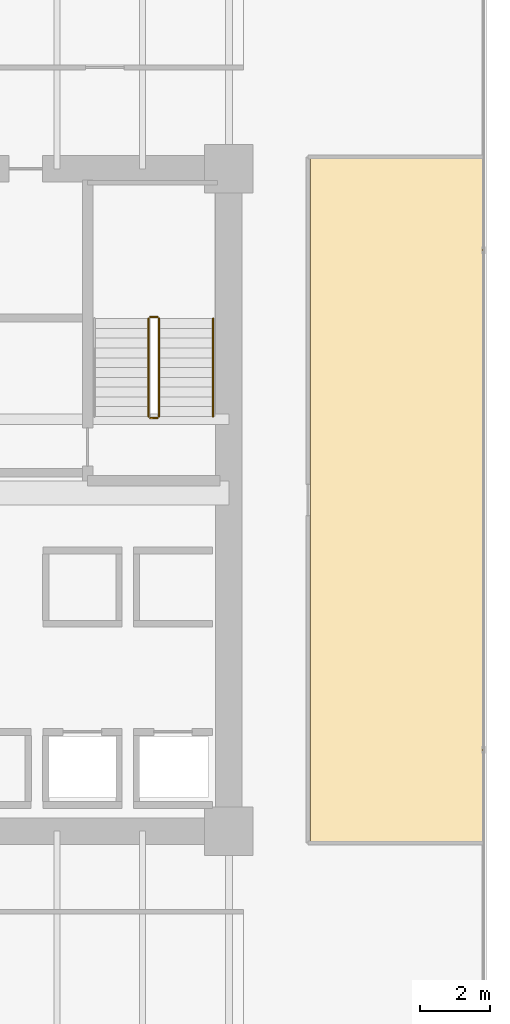
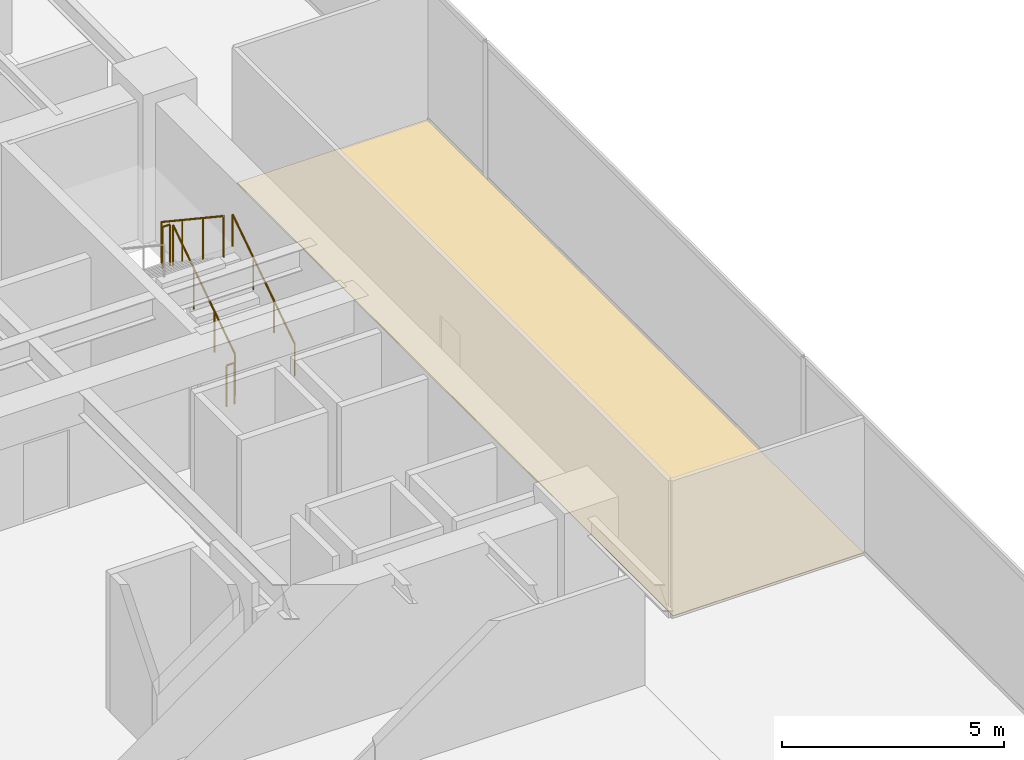
# One storey, part 37 of 37: 5 railings, 1 covering.
"""IFC4 building model written with IfcOpenShell, lengths in metres."""

from ifc_helpers import new_model, si_unit, direction, frame, origin, origin_2d, place, context, subcontext, project, spatial, polyline, circle, outline, extrude, source, transform, mapped, material, layer, layer_set, type_object, type_shapes, element, save


model = new_model("IFC4")

# Units and contexts
model_context = context("Model", 3, precision=1e-05, world=origin(), true_north=direction((0.0, 1.0)))
body_context = subcontext(model_context, "Body", "Model", "MODEL_VIEW")
ifc_project = project(units=[si_unit("LENGTHUNIT", "METRE"), si_unit("AREAUNIT", "SQUARE_METRE"), si_unit("VOLUMEUNIT", "CUBIC_METRE"), si_unit("PLANEANGLEUNIT", "RADIAN"), si_unit("MASSUNIT", "GRAM", prefix="KILO")], contexts=[model_context])

# Site, building, storey
site_placement = place(None, origin())
site = spatial("IfcSite", under=ifc_project, at=site_placement, CompositionType="ELEMENT")
building_placement = place(site_placement, origin())
building = spatial("IfcBuilding", under=site, at=building_placement, Name="Haelvirn Gate Laboratories", CompositionType="ELEMENT")
storey_placement = place(building_placement, frame((0.0, 0.0, 78.5)))
storey = spatial("IfcBuildingStorey", under=building, at=storey_placement, Name="L19", CompositionType="ELEMENT", Elevation=78.5)

# Covering
ifc_material_1 = material(Name="Seamless chemical-resistant epoxy laboratory flooring")
ifc_layer = layer(ifc_material_1, 0.01806640625, Name="COV-FLR-RESIN")
ifc_layer_set = layer_set([ifc_layer], Name="Seamless chemical-resistant epoxy laboratory flooring")
covering_type = type_object("IfcCoveringType", Name="COV-FLR-RESIN", PredefinedType="FLOORING", material=ifc_layer_set)
covering_placement = place(storey_placement, origin())
element("IfcCovering", 1, at=covering_placement, inside=storey, type_object=covering_type, Name="L19 Seamless Laboratory Flooring FLR-SP-L19-ECELL-01", PredefinedType="FLOORING", context=body_context, shape_type="SweptSolid", body=[
    extrude(outline(polyline([(69.739990234375, 34.135009765625), (74.68994140625, 34.135009765625), (74.68994140625, 14.465087890625), (69.739990234375, 14.465087890625), (69.739990234375, 34.135009765625)])), origin(), (0.0, 0.0, 1.0), 0.01806640625),
])

# Railings
ifc_material_2 = material(Name="Galvanised steel SM355 & stainless top rail", Category="steel")
railing_type_1 = type_object("IfcRailingType", Name="RL-GUARD-1150", PredefinedType="GUARDRAIL", material=ifc_material_2)
shared_shape_1 = source(origin(), body_context, "Body", "SweptSolid", [
    extrude(circle(Radius=0.02392578125, at=origin_2d()), frame((0.0, 0.0, 1.1259765625), z_axis=(0.0, -0.832452072856, 0.554097055034), x_axis=(1.0, 0.0, 0.0)), (0.0, 0.0, 1.0), 3.363525390625),
    extrude(circle(Radius=0.02099609375, at=origin_2d()), origin(), (0.0, 0.0, 1.0), 1.101806640625),
    extrude(circle(Radius=0.02099609375, at=origin_2d()), frame((0.0, -0.933349609375, 0.621337890625)), (0.0, 0.0, 1.0), 1.101806640625),
    extrude(circle(Radius=0.02099609375, at=origin_2d()), frame((0.0, -1.86669921875, 1.242431640625)), (0.0, 0.0, 1.0), 1.101806640625),
    extrude(circle(Radius=0.02099609375, at=origin_2d()), frame((0.0, -2.800048828125, 1.86376953125)), (0.0, 0.0, 1.0), 1.101806640625),
])
railing_1_placement = place(storey_placement, frame((65.10009765625, 29.5, 2.236328125)))
element("IfcRailing", 2, at=railing_1_placement, inside=storey, type_object=railing_type_1, Name="L19 ST2 stair guard 3", PredefinedType="GUARDRAIL", context=body_context, shape_type="MappedRepresentation", body=[
    mapped(shared_shape_1, transform((0.0, 0.0, 0.0), scale=1.0)),
])
shared_shape_2 = source(origin(), body_context, "Body", "SweptSolid", [
    extrude(circle(Radius=0.02392578125, at=origin_2d()), frame((0.0, 0.0, 1.1259765625), z_axis=(0.0, 0.832452072856, 0.554097055034), x_axis=(-1.0, 0.0, 0.0)), (0.0, 0.0, 1.0), 3.363525390625),
    extrude(circle(Radius=0.02099609375, at=origin_2d()), origin(), (0.0, 0.0, 1.0), 1.101806640625),
    extrude(circle(Radius=0.02099609375, at=origin_2d()), frame((0.0, 0.933349609375, 0.621337890625)), (0.0, 0.0, 1.0), 1.101806640625),
    extrude(circle(Radius=0.02099609375, at=origin_2d()), frame((0.0, 1.86669921875, 1.242431640625)), (0.0, 0.0, 1.0), 1.101806640625),
    extrude(circle(Radius=0.02099609375, at=origin_2d()), frame((0.0, 2.800048828125, 1.86376953125)), (0.0, 0.0, 1.0), 1.101806640625),
])
railing_2_placement = place(storey_placement, frame((65.39990234375, 26.699951171875, 0.186279296875)))
element("IfcRailing", 3, at=railing_2_placement, inside=storey, type_object=railing_type_1, Name="L19 ST2 stair guard 1", PredefinedType="GUARDRAIL", context=body_context, shape_type="MappedRepresentation", body=[
    mapped(shared_shape_2, transform((0.0, 0.0, 0.0), scale=1.0)),
])
ifc_material_3 = material(Name="Brushed stainless steel 316L", Category="steel")
railing_type_2 = type_object("IfcRailingType", Name="RL-HAND-920", PredefinedType="HANDRAIL", material=ifc_material_3)
shared_shape_3 = source(origin(), body_context, "Body", "SweptSolid", [
    extrude(circle(Radius=0.02392578125, at=origin_2d()), frame((0.0, 0.0, 0.8759765625), z_axis=(0.0, 0.832452072856, 0.554097055034), x_axis=(-1.0, 0.0, 0.0)), (0.0, 0.0, 1.0), 3.363525390625),
    extrude(circle(Radius=0.02099609375, at=origin_2d()), origin(), (0.0, 0.0, 1.0), 0.851806640625),
    extrude(circle(Radius=0.02099609375, at=origin_2d()), frame((0.0, 0.933349609375, 0.621337890625)), (0.0, 0.0, 1.0), 0.851806640625),
    extrude(circle(Radius=0.02099609375, at=origin_2d()), frame((0.0, 1.86669921875, 1.242431640625)), (0.0, 0.0, 1.0), 0.851806640625),
    extrude(circle(Radius=0.02099609375, at=origin_2d()), frame((0.0, 2.800048828125, 1.86376953125)), (0.0, 0.0, 1.0), 0.851806640625),
])
type_shapes(railing_type_2, [shared_shape_3])
railing_3_placement = place(storey_placement, frame((66.949951171875, 26.699951171875, 0.186279296875)))
element("IfcRailing", 4, at=railing_3_placement, inside=storey, type_object=railing_type_2, Name="L19 ST2 stair handrail 1", PredefinedType="HANDRAIL", context=body_context, shape_type="MappedRepresentation", body=[
    mapped(shared_shape_3, transform((0.0, 0.0, 0.0), scale=1.0)),
])
shared_shape_4 = source(origin(), body_context, "Body", "SweptSolid", [
    extrude(circle(Radius=0.02392578125, at=origin_2d()), frame((0.0, 0.0, 1.1259765625), z_axis=(-1.0, 0.0, 0.0), x_axis=(0.0, -1.0, 0.0)), (0.0, 0.0, 1.0), 0.2001953125),
    extrude(circle(Radius=0.02099609375, at=origin_2d()), origin(), (0.0, 0.0, 1.0), 1.101806640625),
    extrude(circle(Radius=0.02099609375, at=origin_2d()), frame((-0.2001953125, 0.0, 0.0)), (0.0, 0.0, 1.0), 1.101806640625),
])
type_shapes(railing_type_1, [shared_shape_1, shared_shape_2, shared_shape_4])
for number, where, name in (
    (5, (65.35009765625, 29.550048828125, 2.050048828125), "L19 ST2 stair guard 2"),
    (6, (65.35009765625, 26.64990234375, 0.0), "L19 ST2 stair guard 4"),
):
    element("IfcRailing", number, at=place(storey_placement, frame(where)), inside=storey, type_object=railing_type_1, Name=name, PredefinedType="GUARDRAIL", context=body_context, shape_type="MappedRepresentation", body=[
        mapped(shared_shape_4, transform((0.0, 0.0, 0.0), scale=1.0)),
    ])

save(model, "model.ifc")
